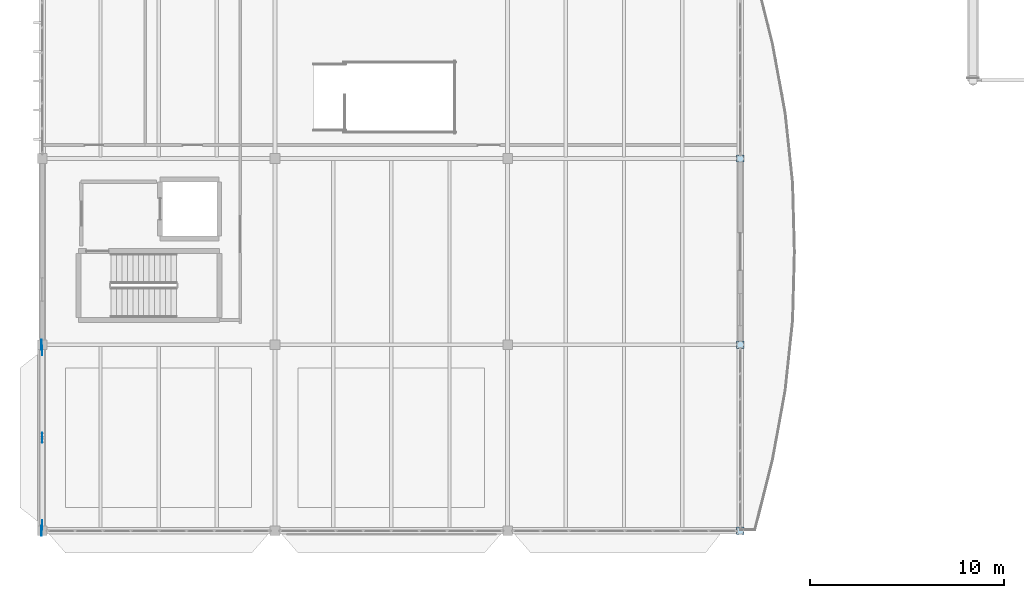
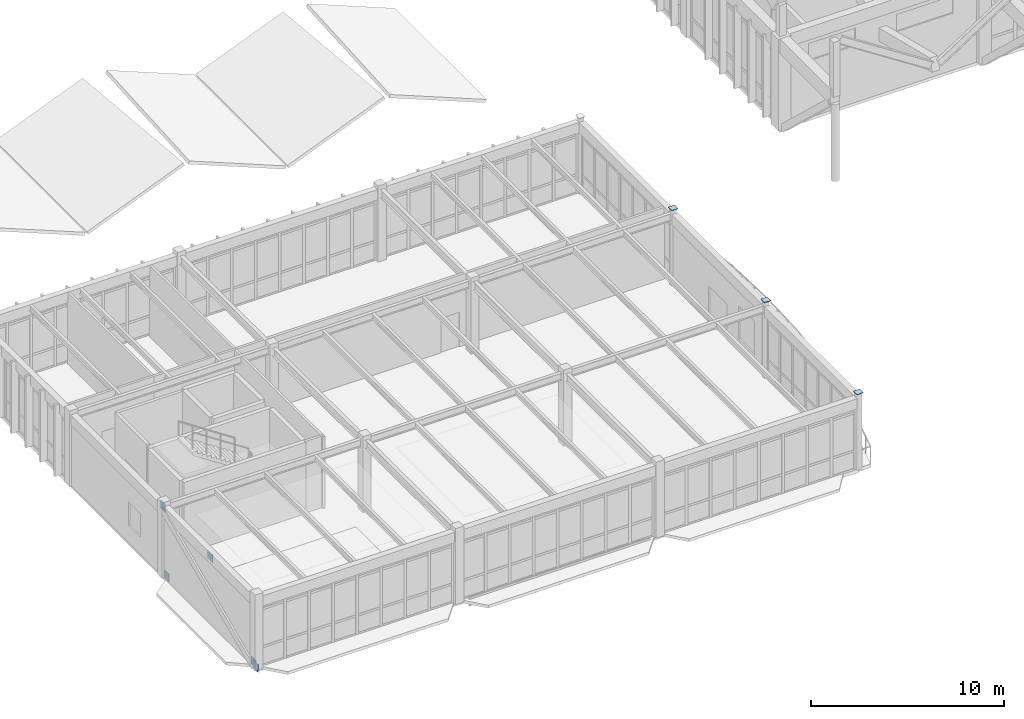
# One storey, part 209 of 236: 8 plates.
"""IFC4 building model written with IfcOpenShell, lengths in metres."""

from ifc_helpers import new_model, si_unit, direction, frame, origin, origin_2d, place, context, subcontext, project, spatial, rectangle, extrude, material, layer, layer_set, type_object, element, save


model = new_model("IFC4")

# Units and contexts
model_context = context("Model", 3, precision=1e-05, world=origin(), true_north=direction((0.0, 1.0)))
body_context = subcontext(model_context, "Body", "Model", "MODEL_VIEW")
ifc_project = project(units=[si_unit("LENGTHUNIT", "METRE"), si_unit("AREAUNIT", "SQUARE_METRE"), si_unit("VOLUMEUNIT", "CUBIC_METRE"), si_unit("PLANEANGLEUNIT", "RADIAN"), si_unit("MASSUNIT", "GRAM", prefix="KILO")], contexts=[model_context])

# Site, building, storey
site_placement = place(None, origin())
site = spatial("IfcSite", under=ifc_project, at=site_placement, CompositionType="ELEMENT")
building_placement = place(site_placement, origin())
building = spatial("IfcBuilding", under=site, at=building_placement, Name="Pandanus Reach Market Hall", CompositionType="ELEMENT")
storey_placement = place(building_placement, frame((0.0, 0.0, 5.39990234375)))
storey = spatial("IfcBuildingStorey", under=building, at=storey_placement, Name="L01", CompositionType="ELEMENT", Elevation=5.39990234375)

# Plates
ifc_material = material(Name="Steel Grade 350 (350 MPa)", Category="steel")
ifc_layer_1 = layer(ifc_material, 0.02197265625, Name="CP-PL22")
ifc_layer_set_1 = layer_set([ifc_layer_1], Name="Steel Grade 350 (350 MPa)")
plate_type_1 = type_object("IfcPlateType", Name="CP-PL22", PredefinedType="SHEET", material=ifc_layer_set_1)
for number, where, z_axis, x_axis, name in (
    (1, (36.0, 0.0, 4.798095703125), (0.0, 0.0, 1.0), (1.0, 0.0, 0.0), "Hollow column top cap plate CP-PL22 V3-36-0"),
    (2, (36.0, 9.60009765625, 4.798095703125), (0.0, 0.0, 1.0), (1.0, 0.0, 0.0), "Hollow column top cap plate CP-PL22 V3-36-96"),
    (3, (36.0, 19.199951171875, 4.798095703125), (0.0, 0.0, 1.0), (1.0, 0.0, 0.0), "Hollow column top cap plate CP-PL22 V3-36-192"),
):
    element("IfcPlate", number, at=place(storey_placement, frame(where, z_axis=z_axis, x_axis=x_axis)), inside=storey, type_object=plate_type_1, Name=name, PredefinedType="SHEET", context=body_context, shape_type="SweptSolid", body=[
        extrude(rectangle(XDim=0.3798828125, YDim=0.3798828125, at=origin_2d()), origin(), (0.0, 0.0, 1.0), 0.02197265625),
    ])
ifc_layer_2 = layer(ifc_material, 0.02001953125, Name="GS-PL20")
ifc_layer_set_2 = layer_set([ifc_layer_2], Name="Steel Grade 350 (350 MPa)")
plate_type_2 = type_object("IfcPlateType", Name="GS-PL20", PredefinedType="SHEET", material=ifc_layer_set_2)
for number, where, z_axis, x_axis, name in (
    (4, (-0.050048828125, 0.0, -0.14990234375), (0.0, 0.0, 1.0), (1.0, 0.0, 0.0), "Diagrid rib end anchorage plate GS-PL20 13A"),
    (5, (-0.050048828125, 9.60009765625, 4.150146484375), (0.0, 0.0, 1.0), (1.0, 0.0, 0.0), "Diagrid rib end anchorage plate GS-PL20 13B"),
):
    element("IfcPlate", number, at=place(storey_placement, frame(where, z_axis=z_axis, x_axis=x_axis)), inside=storey, type_object=plate_type_2, Name=name, PredefinedType="SHEET", context=body_context, shape_type="SweptSolid", body=[
        extrude(rectangle(XDim=0.02001953125, YDim=0.5, at=origin_2d()), origin(), (0.0, 0.0, 1.0), 0.5),
    ])
for number, where, z_axis, x_axis, name in (
    (6, (0.0, 0.300048828125, -0.099853515625), (0.0, 0.0, 1.0), (0.0, 1.0, 0.0), "Brace gusset plate GS-PL20 10L"),
    (7, (0.0, 4.800048828125, 3.85009765625), (0.0, 0.0, 1.0), (0.0, 1.0, 0.0), "Brace gusset plate GS-PL20 10M"),
    (8, (0.0, 9.300048828125, -0.099853515625), (0.0, 0.0, 1.0), (0.0, 1.0, 0.0), "Brace gusset plate GS-PL20 10R"),
):
    element("IfcPlate", number, at=place(storey_placement, frame(where, z_axis=z_axis, x_axis=x_axis)), inside=storey, type_object=plate_type_2, Name=name, PredefinedType="SHEET", context=body_context, shape_type="SweptSolid", body=[
        extrude(rectangle(XDim=0.5, YDim=0.02001953125, at=origin_2d()), origin(), (0.0, 0.0, 1.0), 0.5),
    ])

save(model, "model.ifc")
